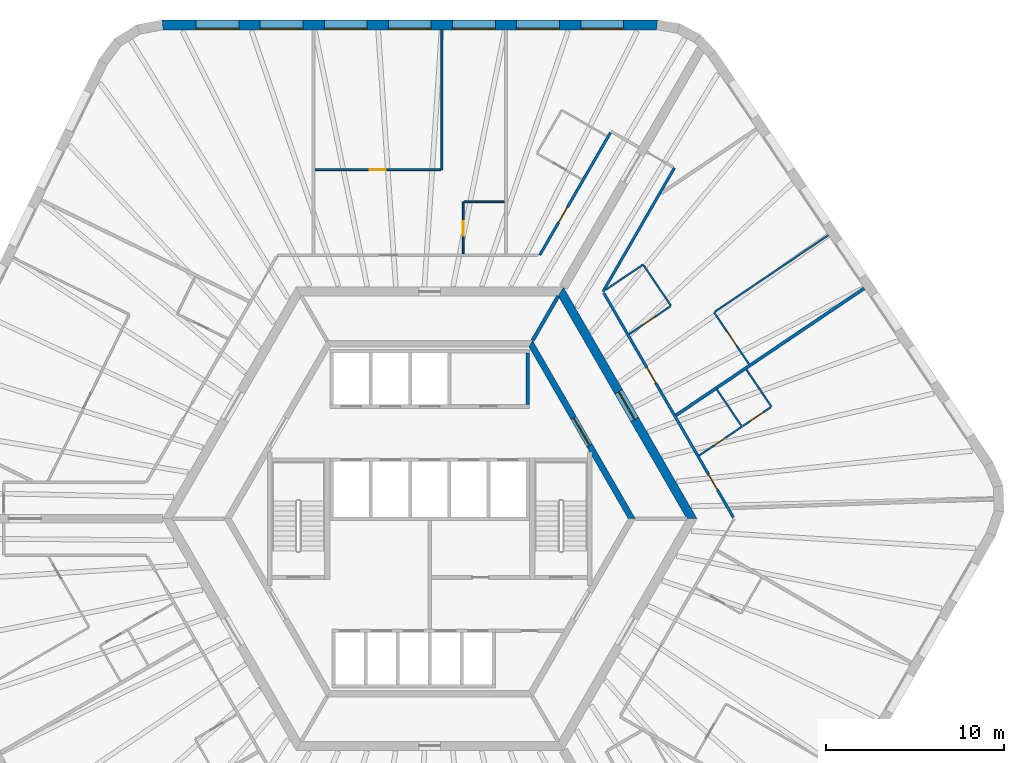
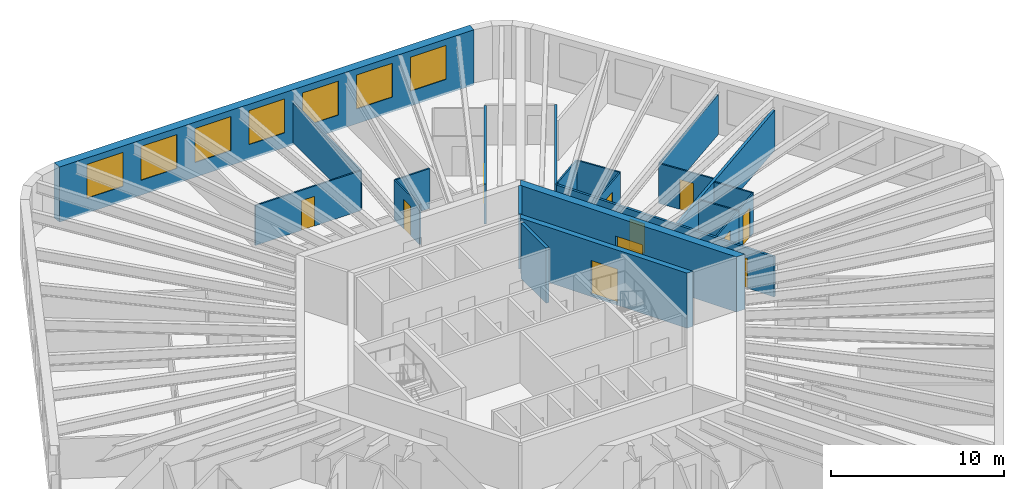
# One storey, part 8 of 10: 22 walls, 11 doors, 7 windows, 18 openings.
"""IFC4 building model written with IfcOpenShell, lengths in metres."""

from ifc_helpers import new_model, si_unit, direction, frame, frame_2d, origin, place, context, subcontext, project, spatial, polyline, rectangle, outline, extrude, material, layer, layer_set, type_object, element, fill, save


model = new_model("IFC4")

# Units and contexts
model_context = context("Model", 3, precision=1e-05, world=origin(), true_north=direction((0.0, 1.0)))
body_context = subcontext(model_context, "Body", "Model", "MODEL_VIEW")
ifc_project = project(units=[si_unit("LENGTHUNIT", "METRE"), si_unit("AREAUNIT", "SQUARE_METRE"), si_unit("VOLUMEUNIT", "CUBIC_METRE"), si_unit("PLANEANGLEUNIT", "RADIAN"), si_unit("MASSUNIT", "GRAM", prefix="KILO")], contexts=[model_context])

# Site, building, storey
site_placement = place(None, origin())
site = spatial("IfcSite", under=ifc_project, at=site_placement, CompositionType="ELEMENT")
building_placement = place(site_placement, origin())
building = spatial("IfcBuilding", under=site, at=building_placement, Name="Tarnside Tower", CompositionType="ELEMENT")
storey_placement = place(building_placement, frame((0.0, 0.0, 160.5)))
storey = spatial("IfcBuildingStorey", under=building, at=storey_placement, Name="L37", CompositionType="ELEMENT", Elevation=160.5)

# Wall, opening, door
ifc_material_1 = material(Name="Gypsum board partition on steel studs", Category="steel")
ifc_layer_1 = layer(ifc_material_1, 0.10009765625)
ifc_layer_set_1 = layer_set([ifc_layer_1], Name="Bathroom wall 100")
wall_type_1 = type_object("IfcWallType", Name="Bathroom wall 100", PredefinedType="PARTITIONING", material=ifc_layer_set_1)
wall_1_placement = place(storey_placement, frame((1.882080078125, 14.875, 0.0), z_axis=(0.0, 0.0, 1.0), x_axis=(0.0, 1.0, 0.0)))
wall_1 = element("IfcWall", 1, at=wall_1_placement, inside=storey, type_object=wall_type_1, Name="Bathroom wall 11053", PredefinedType="PARTITIONING", context=body_context, shape_type="SweptSolid", body=[
    extrude(rectangle(XDim=2.925048828125, YDim=0.10009765625, at=frame_2d((1.46240234375, 0.0))), origin(), (0.0, 0.0, 1.0), 2.823486328125),
])
opening_1_placement = place(wall_1_placement, frame((1.02490234375, 0.0, 0.0)))
opening_1 = element("IfcOpeningElement", 2, at=opening_1_placement, cuts=wall_1, Name="Opening D-B1", PredefinedType="OPENING", context=body_context, shape_type="SweptSolid", body=[
    extrude(rectangle(XDim=0.800048828125, YDim=2.10009765625, at=frame_2d((0.39990234375, 1.050048828125))), frame((0.0, 0.06005859375, 0.0), z_axis=(0.0, -1.0, 0.0), x_axis=(1.0, 0.0, 0.0)), (0.0, 0.0, 1.0), 0.1201171875),
])
ifc_material_2 = material(Name="Timber door leaf", Category="wood")
door_type_1 = type_object("IfcDoorType", Name="Bathroom door 800", OperationType="NOTDEFINED", PredefinedType="DOOR", material=ifc_material_2)
door_1_placement = place(opening_1_placement, origin())
door_1 = element("IfcDoor", 3, at=door_1_placement, inside=storey, type_object=door_type_1, Name="Bathroom door 11004", OperationType="SINGLE_SWING_RIGHT", OverallHeight=2.10009765625, OverallWidth=0.800048828125, PredefinedType="DOOR", context=body_context, shape_type="SweptSolid", body=[
    extrude(rectangle(XDim=0.800048828125, YDim=2.10009765625, at=frame_2d((0.39990234375, 1.050048828125))), frame((0.0, 0.02490234375, 0.0), z_axis=(0.0, -1.0, 0.0), x_axis=(1.0, 0.0, 0.0)), (0.0, 0.0, 1.0), 0.050048828125),
])
fill(opening_1, door_1)

# Wall
wall_2_placement = place(storey_placement, frame((1.93212890625, 17.800048828125, 0.0), z_axis=(0.0, 0.0, 1.0), x_axis=(1.0, 0.0, 0.0)))
element("IfcWall", 4, at=wall_2_placement, inside=storey, type_object=wall_type_1, Name="Bathroom wall 11054", PredefinedType="PARTITIONING", context=body_context, shape_type="SweptSolid", body=[
    extrude(rectangle(XDim=2.260009765625, YDim=0.10009765625, at=frame_2d((1.1298828125, 0.0))), origin(), (0.0, 0.0, 1.0), 2.823486328125),
])

# Wall, opening, door
wall_3_placement = place(storey_placement, frame((17.5302734375, 5.16845703125, 0.0), z_axis=(0.0, 0.0, 1.0), x_axis=(-0.829031257997, -0.559202265073, 0.0)))
wall_3 = element("IfcWall", 5, at=wall_3_placement, inside=storey, type_object=wall_type_1, Name="Bathroom wall 11106", PredefinedType="PARTITIONING", context=body_context, shape_type="SweptSolid", body=[
    extrude(rectangle(XDim=2.89794921875, YDim=0.10009765625, at=frame_2d((1.448974609375, 0.0))), origin(), (0.0, 0.0, 1.0), 2.823486328125),
])
opening_2_placement = place(wall_3_placement, frame((1.10009765625, 0.0, 0.0)))
opening_2 = element("IfcOpeningElement", 6, at=opening_2_placement, cuts=wall_3, Name="Opening D-B1", PredefinedType="OPENING", context=body_context, shape_type="SweptSolid", body=[
    extrude(rectangle(XDim=0.800048828125, YDim=2.10009765625, at=frame_2d((0.39990234375, 1.050048828125))), frame((0.0, 0.06005859375, 0.0), z_axis=(0.0, -1.0, 0.0), x_axis=(1.0, 0.0, 0.0)), (0.0, 0.0, 1.0), 0.1201171875),
])
door_2_placement = place(opening_2_placement, origin())
door_2 = element("IfcDoor", 7, at=door_2_placement, inside=storey, type_object=door_type_1, Name="Bathroom door 11032", OperationType="SINGLE_SWING_LEFT", OverallHeight=2.10009765625, OverallWidth=0.800048828125, PredefinedType="DOOR", context=body_context, shape_type="SweptSolid", body=[
    extrude(rectangle(XDim=0.800048828125, YDim=2.10009765625, at=frame_2d((0.39990234375, 1.050048828125))), frame((0.0, 0.02490234375, 0.0), z_axis=(0.0, -1.0, 0.0), x_axis=(1.0, 0.0, 0.0)), (0.0, 0.0, 1.0), 0.050048828125),
])
fill(opening_2, door_2)

# Walls
wall_4_placement = place(storey_placement, frame((17.50244140625, 5.2099609375, 0.0), z_axis=(0.0, 0.0, 1.0), x_axis=(-0.559203533395, 0.829030402481, 0.0)))
element("IfcWall", 8, at=wall_4_placement, inside=storey, type_object=wall_type_1, Name="Bathroom wall 11111", PredefinedType="PARTITIONING", context=body_context, shape_type="SweptSolid", body=[
    extrude(rectangle(XDim=2.460205078125, YDim=0.10009765625, at=frame_2d((1.22998046875, 0.0))), origin(), (0.0, 0.0, 1.0), 2.823486328125),
])
wall_5_placement = place(storey_placement, frame((9.8701171875, 12.845703125, 0.0), z_axis=(0.0, 0.0, 1.0), x_axis=(0.829045266323, 0.559181496821, 0.0)))
element("IfcWall", 9, at=wall_5_placement, inside=storey, type_object=wall_type_1, Name="Bathroom wall 11114", PredefinedType="PARTITIONING", context=body_context, shape_type="SweptSolid", body=[
    extrude(rectangle(XDim=2.547607421875, YDim=0.10009765625, at=frame_2d((1.27392578125, 0.0))), origin(), (0.0, 0.0, 1.0), 2.823486328125),
])
wall_6_placement = place(storey_placement, frame((12.01025390625, 14.228759765625, 0.0), z_axis=(0.0, 0.0, 1.0), x_axis=(0.559158698756, -0.8290606429, 0.0)))
element("IfcWall", 10, at=wall_6_placement, inside=storey, type_object=wall_type_1, Name="Bathroom wall 11115", PredefinedType="PARTITIONING", context=body_context, shape_type="SweptSolid", body=[
    extrude(rectangle(XDim=2.749755859375, YDim=0.10009765625, at=frame_2d((1.375, 0.0))), origin(), (0.0, 0.0, 1.0), 2.823486328125),
])

# Wall, opening, door
wall_7_placement = place(storey_placement, frame((13.50634765625, 11.9208984375, 0.0), z_axis=(0.0, 0.0, 1.0), x_axis=(-0.829048535811, -0.559176649431, 0.0)))
wall_7 = element("IfcWall", 11, at=wall_7_placement, inside=storey, type_object=wall_type_1, Name="Bathroom wall 11116", PredefinedType="PARTITIONING", context=body_context, shape_type="SweptSolid", body=[
    extrude(rectangle(XDim=2.7890625, YDim=0.10009765625, at=frame_2d((1.39453125, 0.0))), origin(), (0.0, 0.0, 1.0), 2.823486328125),
])
opening_3_placement = place(wall_7_placement, frame((1.050048828125, 0.0, 0.0)))
opening_3 = element("IfcOpeningElement", 12, at=opening_3_placement, cuts=wall_7, Name="Opening D-B1", PredefinedType="OPENING", context=body_context, shape_type="SweptSolid", body=[
    extrude(rectangle(XDim=0.800048828125, YDim=2.10009765625, at=frame_2d((0.39990234375, 1.050048828125))), frame((0.0, 0.06005859375, 0.0), z_axis=(0.0, -1.0, 0.0), x_axis=(1.0, 0.0, 0.0)), (0.0, 0.0, 1.0), 0.1201171875),
])
door_3_placement = place(opening_3_placement, origin())
door_3 = element("IfcDoor", 13, at=door_3_placement, inside=storey, type_object=door_type_1, Name="Bathroom door 11035", OperationType="SINGLE_SWING_LEFT", OverallHeight=2.10009765625, OverallWidth=0.800048828125, PredefinedType="DOOR", context=body_context, shape_type="SweptSolid", body=[
    extrude(rectangle(XDim=0.800048828125, YDim=2.10009765625, at=frame_2d((0.39990234375, 1.050048828125))), frame((0.0, 0.02490234375, 0.0), z_axis=(0.0, -1.0, 0.0), x_axis=(1.0, 0.0, 0.0)), (0.0, 0.0, 1.0), 0.050048828125),
])
fill(opening_3, door_3)

ifc_material_3 = material(Name="Concrete C50/60", Category="concrete")
ifc_layer_2 = layer(ifc_material_3, 0.35009765625)
ifc_layer_set_2 = layer_set([ifc_layer_2], Name="Core block wall 350 C50/60")
wall_type_2 = type_object("IfcWallType", Name="Core block wall 350 C50/60", PredefinedType="SHEAR", material=ifc_layer_set_2)
wall_8_placement = place(storey_placement, frame((11.344970703125, 0.0, -0.14990234375), z_axis=(0.0, 0.0, 1.0), x_axis=(-0.499995046907, 0.866028263435, 0.0)))
wall_8 = element("IfcWall", 14, at=wall_8_placement, inside=storey, type_object=wall_type_2, Name="L37 core block wall face 6", PredefinedType="SHEAR", context=body_context, shape_type="SweptSolid", body=[
    extrude(outline(polyline([(-0.10107421875, -0.175048828125), (11.44580078125, -0.175048828125), (11.24365234375, 0.175048828125), (0.10107421875, 0.175048828125), (-0.10107421875, -0.175048828125)])), origin(), (0.0, 0.0, 1.0), 3.89990234375),
])
opening_4_placement = place(wall_8_placement, frame((4.74365234375, 0.0, 0.14990234375)))
opening_4 = element("IfcOpeningElement", 15, at=opening_4_placement, cuts=wall_8, Name="Opening CD-LOB", PredefinedType="OPENING", context=body_context, shape_type="SweptSolid", body=[
    extrude(rectangle(XDim=1.800048828125, YDim=2.39990234375, at=frame_2d((0.89990234375, 1.199951171875))), frame((0.0, 0.18505859375, 0.0), z_axis=(0.0, -1.0, 0.0), x_axis=(1.0, 0.0, 0.0)), (0.0, 0.0, 1.0), 0.3701171875),
])
ifc_material_4 = material(Name="Steel fire door", Category="steel")
door_type_2 = type_object("IfcDoorType", Name="Lobby double door FD30S 1800x2400", OperationType="NOTDEFINED", PredefinedType="DOOR", material=ifc_material_4)
door_4_placement = place(opening_4_placement, origin())
door_4 = element("IfcDoor", 16, at=door_4_placement, inside=storey, type_object=door_type_2, Name="L37 lobby block door P2", OperationType="DOUBLE_DOOR_SINGLE_SWING", OverallHeight=2.39990234375, OverallWidth=1.800048828125, PredefinedType="DOOR", context=body_context, shape_type="SweptSolid", body=[
    extrude(rectangle(XDim=1.800048828125, YDim=2.39990234375, at=frame_2d((0.89990234375, 1.199951171875))), frame((0.0, 0.02490234375, 0.0), z_axis=(0.0, -1.0, 0.0), x_axis=(1.0, 0.0, 0.0)), (0.0, 0.0, 1.0), 0.050048828125),
])
fill(opening_4, door_4)

ifc_material_5 = material(Name="Concrete C70/85", Category="concrete")
ifc_layer_3 = layer(ifc_material_5, 0.5)
ifc_layer_set_3 = layer_set([ifc_layer_3], Name="Core wall Z2 500 C70/85")
wall_type_3 = type_object("IfcWallType", Name="Core wall Z2 500 C70/85", PredefinedType="SHEAR", material=ifc_layer_set_3)
wall_9_placement = place(storey_placement, frame((14.722412109375, 0.0, -0.14990234375), z_axis=(0.0, 0.0, 1.0), x_axis=(-0.50000571537, 0.866022103989, 0.0)))
wall_9 = element("IfcWall", 17, at=wall_9_placement, inside=storey, type_object=wall_type_3, Name="L37 core wall face 6", PredefinedType="SHEAR", context=body_context, shape_type="SweptSolid", body=[
    extrude(outline(polyline([(-0.144287109375, -0.25), (14.86669921875, -0.25), (14.578125, 0.25), (0.144287109375, 0.25), (-0.144287109375, -0.25)])), origin(), (0.0, 0.0, 1.0), 3.89990234375),
])
opening_5_placement = place(wall_9_placement, frame((6.432373046875, 0.0, 0.14990234375)))
opening_5 = element("IfcOpeningElement", 18, at=opening_5_placement, cuts=wall_9, Name="Opening CD-LOB", PredefinedType="OPENING", context=body_context, shape_type="SweptSolid", body=[
    extrude(rectangle(XDim=1.800048828125, YDim=2.39990234375, at=frame_2d((0.89990234375, 1.199951171875))), frame((0.0, 0.260009765625, 0.0), z_axis=(0.0, -1.0, 0.0), x_axis=(1.0, 0.0, 0.0)), (0.0, 0.0, 1.0), 0.52001953125),
])
door_5_placement = place(opening_5_placement, origin())
door_5 = element("IfcDoor", 19, at=door_5_placement, inside=storey, type_object=door_type_2, Name="L37 core door P2", OperationType="DOUBLE_DOOR_SINGLE_SWING", OverallHeight=2.39990234375, OverallWidth=1.800048828125, PredefinedType="DOOR", context=body_context, shape_type="SweptSolid", body=[
    extrude(rectangle(XDim=1.800048828125, YDim=2.39990234375, at=frame_2d((0.89990234375, 1.199951171875))), frame((0.0, 0.02490234375, 0.0), z_axis=(0.0, -1.0, 0.0), x_axis=(1.0, 0.0, 0.0)), (0.0, 0.0, 1.0), 0.050048828125),
])
fill(opening_5, door_5)

ifc_layer_4 = layer(ifc_material_1, 0.14990234375)
ifc_layer_set_4 = layer_set([ifc_layer_4], Name="Corridor wall 150 EI 60")
wall_type_4 = type_object("IfcWallType", Name="Corridor wall 150 EI 60", PredefinedType="PARTITIONING", material=ifc_layer_set_4)
wall_10_placement = place(storey_placement, frame((10.148681640625, 21.677978515625, 0.0), z_axis=(0.0, 0.0, 1.0), x_axis=(-0.499997422768, -0.866026891745, 0.0)))
wall_10 = element("IfcWall", 20, at=wall_10_placement, inside=storey, type_object=wall_type_4, Name="Corridor wall 11001", PredefinedType="PARTITIONING", context=body_context, shape_type="SweptSolid", body=[
    extrude(rectangle(XDim=7.94189453125, YDim=0.14990234375, at=frame_2d((3.970947265625, 0.0))), origin(), (0.0, 0.0, 1.0), 2.823486328125),
])
opening_6_placement = place(wall_10_placement, frame((4.83349609375, 0.0, 0.0)))
opening_6 = element("IfcOpeningElement", 21, at=opening_6_placement, cuts=wall_10, Name="Opening D-E1", PredefinedType="OPENING", context=body_context, shape_type="SweptSolid", body=[
    extrude(rectangle(XDim=1.0, YDim=2.10009765625, at=frame_2d((0.5, 1.050048828125))), frame((0.0, 0.0849609375, 0.0), z_axis=(0.0, -1.0, 0.0), x_axis=(1.0, 0.0, 0.0)), (0.0, 0.0, 1.0), 0.169921875),
])
door_type_3 = type_object("IfcDoorType", Name="Unit entrance door 1000 FD30S", OperationType="NOTDEFINED", PredefinedType="DOOR", material=ifc_material_2)
door_6_placement = place(opening_6_placement, origin())
door_6 = element("IfcDoor", 22, at=door_6_placement, inside=storey, type_object=door_type_3, Name="Unit door 11001", OperationType="SINGLE_SWING_LEFT", OverallHeight=2.10009765625, OverallWidth=1.0, PredefinedType="DOOR", context=body_context, shape_type="SweptSolid", body=[
    extrude(rectangle(XDim=1.0, YDim=2.10009765625, at=frame_2d((0.5, 1.050048828125))), frame((0.0, 0.02490234375, 0.0), z_axis=(0.0, -1.0, 0.0), x_axis=(1.0, 0.0, 0.0)), (0.0, 0.0, 1.0), 0.050048828125),
])
fill(opening_6, door_6)

# Wall, openings, doors
wall_11_placement = place(storey_placement, frame((17.04638671875, 0.074951171875, 0.0), z_axis=(0.0, 0.0, 1.0), x_axis=(-0.499999403554, 0.866025748143, 0.0)))
wall_11 = element("IfcWall", 23, at=wall_11_placement, inside=storey, type_object=wall_type_4, Name="Corridor wall 11040", PredefinedType="PARTITIONING", context=body_context, shape_type="SweptSolid", body=[
    extrude(rectangle(XDim=14.54931640625, YDim=0.14990234375, at=frame_2d((7.274658203125, 0.0))), origin(), (0.0, 0.0, 1.0), 2.823486328125),
])
opening_7_placement = place(wall_11_placement, frame((1.781494140625, 0.0, 0.0)))
opening_7 = element("IfcOpeningElement", 24, at=opening_7_placement, cuts=wall_11, Name="Opening D-E1", PredefinedType="OPENING", context=body_context, shape_type="SweptSolid", body=[
    extrude(rectangle(XDim=1.0, YDim=2.10009765625, at=frame_2d((0.5, 1.050048828125))), frame((0.0, 0.0849609375, 0.0), z_axis=(0.0, -1.0, 0.0), x_axis=(1.0, 0.0, 0.0)), (0.0, 0.0, 1.0), 0.169921875),
])
opening_8_placement = place(wall_11_placement, frame((8.705322265625, 0.0, 0.0)))
opening_8 = element("IfcOpeningElement", 25, at=opening_8_placement, cuts=wall_11, Name="Opening D-E1", PredefinedType="OPENING", context=body_context, shape_type="SweptSolid", body=[
    extrude(rectangle(XDim=1.0, YDim=2.10009765625, at=frame_2d((0.5, 1.050048828125))), frame((0.0, 0.0849609375, 0.0), z_axis=(0.0, -1.0, 0.0), x_axis=(1.0, 0.0, 0.0)), (0.0, 0.0, 1.0), 0.169921875),
])
door_7_placement = place(opening_7_placement, origin())
door_7 = element("IfcDoor", 26, at=door_7_placement, inside=storey, type_object=door_type_3, Name="Unit door 11031", OperationType="SINGLE_SWING_LEFT", OverallHeight=2.10009765625, OverallWidth=1.0, PredefinedType="DOOR", context=body_context, shape_type="SweptSolid", body=[
    extrude(rectangle(XDim=1.0, YDim=2.10009765625, at=frame_2d((0.5, 1.050048828125))), frame((0.0, 0.02490234375, 0.0), z_axis=(0.0, -1.0, 0.0), x_axis=(1.0, 0.0, 0.0)), (0.0, 0.0, 1.0), 0.050048828125),
])
fill(opening_7, door_7)
door_8_placement = place(opening_8_placement, origin())
door_8 = element("IfcDoor", 27, at=door_8_placement, inside=storey, type_object=door_type_3, Name="Unit door 11034", OperationType="SINGLE_SWING_RIGHT", OverallHeight=2.10009765625, OverallWidth=1.0, PredefinedType="DOOR", context=body_context, shape_type="SweptSolid", body=[
    extrude(rectangle(XDim=1.0, YDim=2.10009765625, at=frame_2d((0.5, 1.050048828125))), frame((0.0, 0.02490234375, 0.0), z_axis=(0.0, -1.0, 0.0), x_axis=(1.0, 0.0, 0.0)), (0.0, 0.0, 1.0), 0.050048828125),
])
fill(opening_8, door_8)

# Walls
wall_12_placement = place(storey_placement, frame((9.728271484375, 12.75, 0.0), z_axis=(0.0, 0.0, 1.0), x_axis=(0.500007149838, 0.866021275784, 0.0)))
element("IfcWall", 28, at=wall_12_placement, inside=storey, type_object=wall_type_4, Name="Corridor wall 11043", PredefinedType="PARTITIONING", context=body_context, shape_type="SweptSolid", body=[
    extrude(rectangle(XDim=8.01708984375, YDim=0.14990234375, at=frame_2d((4.008544921875, 0.0))), origin(), (0.0, 0.0, 1.0), 2.823486328125),
])
ifc_layer_5 = layer(ifc_material_1, 0.179931640625)
ifc_layer_set_5 = layer_set([ifc_layer_5], Name="Demising wall 180 EI 60")
wall_type_5 = type_object("IfcWallType", Name="Demising wall 180 EI 60", PredefinedType="PARTITIONING", material=ifc_layer_set_5)
wall_13_placement = place(storey_placement, frame((24.388916015625, 12.9306640625, 0.0), z_axis=(0.0, 0.0, 1.0), x_axis=(-0.829049407957, -0.559175356365, 0.0)))
element("IfcWall", 29, at=wall_13_placement, inside=storey, type_object=wall_type_5, Name="Demising wall 11109", PredefinedType="PARTITIONING", context=body_context, shape_type="SweptSolid", body=[
    extrude(rectangle(XDim=12.742919921875, YDim=0.179931640625, at=frame_2d((6.37158203125, 0.0))), origin(), (0.0, 0.0, 1.0), 2.823486328125),
])
ifc_material_6 = material(Name="Concrete C40/50", Category="concrete")
ifc_layer_6 = layer(ifc_material_6, 0.199951171875)
ifc_layer_set_6 = layer_set([ifc_layer_6], Name="Lift shaft wall 200 C40/50")
wall_type_6 = type_object("IfcWallType", Name="Lift shaft wall 200 C40/50", PredefinedType="SHEAR", material=ifc_layer_set_6)
wall_14_placement = place(storey_placement, frame((5.5, 6.39990234375, -0.25), z_axis=(0.0, 0.0, 1.0), x_axis=(0.0, 1.0, 0.0)))
element("IfcWall", 30, at=wall_14_placement, inside=storey, type_object=wall_type_6, Name="L37 lift shaft partition R16", PredefinedType="SHEAR", context=body_context, shape_type="SweptSolid", body=[
    extrude(rectangle(XDim=2.900146484375, YDim=0.199951171875, at=frame_2d((1.4501953125, 0.0))), origin(), (0.0, 0.0, 1.0), 3.89990234375),
])
wall_15_placement = place(storey_placement, frame((5.7734375, 10.0, -0.14990234375), z_axis=(0.0, 0.0, 1.0), x_axis=(0.499995765644, 0.866027848477, 0.0)))
element("IfcWall", 31, at=wall_15_placement, inside=storey, type_object=wall_type_6, Name="L37 core partition AR60", PredefinedType="SHEAR", context=body_context, shape_type="SweptSolid", body=[
    extrude(rectangle(XDim=2.88671875, YDim=0.199951171875, at=frame_2d((1.443359375, 0.0))), origin(), (0.0, 0.0, 1.0), 3.89990234375),
])
ifc_layer_7 = layer(ifc_material_1, 0.10009765625)
ifc_layer_set_7 = layer_set([ifc_layer_7], Name="Partition 100")
wall_type_7 = type_object("IfcWallType", Name="Partition 100", PredefinedType="PARTITIONING", material=ifc_layer_set_7)
wall_16_placement = place(storey_placement, frame((0.68212890625, 27.449951171875, 0.0), z_axis=(0.0, 0.0, 1.0), x_axis=(0.0, -1.0, 0.0)))
element("IfcWall", 32, at=wall_16_placement, inside=storey, type_object=wall_type_7, Name="Partition wall 11055", PredefinedType="PARTITIONING", context=body_context, shape_type="SweptSolid", body=[
    extrude(rectangle(XDim=7.849853515625, YDim=0.10009765625, at=frame_2d((3.9248046875, 0.0))), origin(), (0.0, 0.0, 1.0), 2.823486328125),
])

# Wall, opening, door
wall_17_placement = place(storey_placement, frame((0.632080078125, 19.60009765625, 0.0), z_axis=(0.0, 0.0, 1.0), x_axis=(-1.0, 0.0, 0.0)))
wall_17 = element("IfcWall", 33, at=wall_17_placement, inside=storey, type_object=wall_type_7, Name="Partition wall 11056", PredefinedType="PARTITIONING", context=body_context, shape_type="SweptSolid", body=[
    extrude(rectangle(XDim=7.06005859375, YDim=0.10009765625, at=frame_2d((3.530029296875, 0.0))), origin(), (0.0, 0.0, 1.0), 2.823486328125),
])
opening_9_placement = place(wall_17_placement, frame((3.10009765625, 0.0, 0.0)))
opening_9 = element("IfcOpeningElement", 34, at=opening_9_placement, cuts=wall_17, Name="Opening D-I1", PredefinedType="OPENING", context=body_context, shape_type="SweptSolid", body=[
    extrude(rectangle(XDim=0.89990234375, YDim=2.10009765625, at=frame_2d((0.449951171875, 1.050048828125))), frame((0.0, 0.06005859375, 0.0), z_axis=(0.0, -1.0, 0.0), x_axis=(1.0, 0.0, 0.0)), (0.0, 0.0, 1.0), 0.1201171875),
])
door_type_4 = type_object("IfcDoorType", Name="Internal door 900", OperationType="NOTDEFINED", PredefinedType="DOOR", material=ifc_material_2)
door_9_placement = place(opening_9_placement, origin())
door_9 = element("IfcDoor", 35, at=door_9_placement, inside=storey, type_object=door_type_4, Name="Internal door 11005", OperationType="SINGLE_SWING_RIGHT", OverallHeight=2.10009765625, OverallWidth=0.89990234375, PredefinedType="DOOR", context=body_context, shape_type="SweptSolid", body=[
    extrude(rectangle(XDim=0.89990234375, YDim=2.10009765625, at=frame_2d((0.449951171875, 1.050048828125))), frame((0.0, 0.02490234375, 0.0), z_axis=(0.0, -1.0, 0.0), x_axis=(1.0, 0.0, 0.0)), (0.0, 0.0, 1.0), 0.050048828125),
])
fill(opening_9, door_9)

# Wall
wall_18_placement = place(storey_placement, frame((17.784912109375, 8.36767578125, 0.0), z_axis=(0.0, 0.0, 1.0), x_axis=(0.559203861497, -0.829030181168, 0.0)))
element("IfcWall", 36, at=wall_18_placement, inside=storey, type_object=wall_type_7, Name="Partition wall 11107", PredefinedType="PARTITIONING", context=body_context, shape_type="SweptSolid", body=[
    extrude(rectangle(XDim=2.510009765625, YDim=0.10009765625, at=frame_2d((1.2548828125, 0.0))), origin(), (0.0, 0.0, 1.0), 2.823486328125),
])

# Wall, opening, door
wall_19_placement = place(storey_placement, frame((19.14697265625, 6.259033203125, 0.0), z_axis=(0.0, 0.0, 1.0), x_axis=(-0.82903334026, -0.559199178055, 0.0)))
wall_19 = element("IfcWall", 37, at=wall_19_placement, inside=storey, type_object=wall_type_7, Name="Partition wall 11108", PredefinedType="PARTITIONING", context=body_context, shape_type="SweptSolid", body=[
    extrude(rectangle(XDim=1.900146484375, YDim=0.10009765625, at=frame_2d((0.9501953125, 0.0))), origin(), (0.0, 0.0, 1.0), 2.823486328125),
])
opening_10_placement = place(wall_19_placement, frame((0.5, 0.0, 0.0)))
opening_10 = element("IfcOpeningElement", 38, at=opening_10_placement, cuts=wall_19, Name="Opening D-I1", PredefinedType="OPENING", context=body_context, shape_type="SweptSolid", body=[
    extrude(rectangle(XDim=0.89990234375, YDim=2.10009765625, at=frame_2d((0.449951171875, 1.050048828125))), frame((0.0, 0.06005859375, 0.0), z_axis=(0.0, -1.0, 0.0), x_axis=(1.0, 0.0, 0.0)), (0.0, 0.0, 1.0), 0.1201171875),
])
door_10_placement = place(opening_10_placement, origin())
door_10 = element("IfcDoor", 39, at=door_10_placement, inside=storey, type_object=door_type_4, Name="Internal door 11033", OperationType="SINGLE_SWING_RIGHT", OverallHeight=2.10009765625, OverallWidth=0.89990234375, PredefinedType="DOOR", context=body_context, shape_type="SweptSolid", body=[
    extrude(rectangle(XDim=0.89990234375, YDim=2.10009765625, at=frame_2d((0.449951171875, 1.050048828125))), frame((0.0, 0.02490234375, 0.0), z_axis=(0.0, -1.0, 0.0), x_axis=(1.0, 0.0, 0.0)), (0.0, 0.0, 1.0), 0.050048828125),
])
fill(opening_10, door_10)

wall_20_placement = place(storey_placement, frame((17.924560546875, 8.67919921875, 0.0), z_axis=(0.0, 0.0, 1.0), x_axis=(-0.559170576854, 0.829052631611, 0.0)))
wall_20 = element("IfcWall", 40, at=wall_20_placement, inside=storey, type_object=wall_type_7, Name="Partition wall 11117", PredefinedType="PARTITIONING", context=body_context, shape_type="SweptSolid", body=[
    extrude(rectangle(XDim=3.510009765625, YDim=0.10009765625, at=frame_2d((1.7548828125, 0.0))), origin(), (0.0, 0.0, 1.0), 2.823486328125),
])
opening_11_placement = place(wall_20_placement, frame((1.260009765625, 0.0, 0.0)))
opening_11 = element("IfcOpeningElement", 41, at=opening_11_placement, cuts=wall_20, Name="Opening D-I1", PredefinedType="OPENING", context=body_context, shape_type="SweptSolid", body=[
    extrude(rectangle(XDim=0.89990234375, YDim=2.10009765625, at=frame_2d((0.449951171875, 1.050048828125))), frame((0.0, 0.06005859375, 0.0), z_axis=(0.0, -1.0, 0.0), x_axis=(1.0, 0.0, 0.0)), (0.0, 0.0, 1.0), 0.1201171875),
])
door_11_placement = place(opening_11_placement, origin())
door_11 = element("IfcDoor", 42, at=door_11_placement, inside=storey, type_object=door_type_4, Name="Internal door 11036", OperationType="SINGLE_SWING_RIGHT", OverallHeight=2.10009765625, OverallWidth=0.89990234375, PredefinedType="DOOR", context=body_context, shape_type="SweptSolid", body=[
    extrude(rectangle(XDim=0.89990234375, YDim=2.10009765625, at=frame_2d((0.449951171875, 1.050048828125))), frame((0.0, 0.02490234375, 0.0), z_axis=(0.0, -1.0, 0.0), x_axis=(1.0, 0.0, 0.0)), (0.0, 0.0, 1.0), 0.050048828125),
])
fill(opening_11, door_11)

# Wall
wall_21_placement = place(storey_placement, frame((16.003173828125, 11.616943359375, 0.0), z_axis=(0.0, 0.0, 1.0), x_axis=(0.829037886281, 0.559192438352, 0.0)))
element("IfcWall", 43, at=wall_21_placement, inside=storey, type_object=wall_type_7, Name="Partition wall 11118", PredefinedType="PARTITIONING", context=body_context, shape_type="SweptSolid", body=[
    extrude(rectangle(XDim=7.686767578125, YDim=0.10009765625, at=frame_2d((3.84326171875, 0.0))), origin(), (0.0, 0.0, 1.0), 2.823486328125),
])

# Wall, openings, windows
ifc_material_7 = material(Name="Facing brick", Category="masonry")
ifc_layer_8 = layer(ifc_material_7, 0.10205078125)
ifc_material_8 = material(Name="Concrete C60/75 precast", Category="concrete")
ifc_layer_9 = layer(ifc_material_8, 0.347900390625)
ifc_material_9 = material(Name="Mineral wool insulation")
ifc_layer_10 = layer(ifc_material_9, 0.10009765625)
ifc_layer_set_8 = layer_set([ifc_layer_8, ifc_layer_9, ifc_layer_10], Name="Tube wall 550 brick faced")
wall_type_8 = type_object("IfcWallType", Name="Tube wall 550 brick faced", PredefinedType="SOLIDWALL", material=ifc_layer_set_8)
wall_22_placement = place(storey_placement, frame((12.760986328125, 27.72509765625, -0.14990234375), z_axis=(0.0, 0.0, 1.0), x_axis=(-1.0, 0.0, 0.0)))
wall_22 = element("IfcWall", 44, at=wall_22_placement, inside=storey, type_object=wall_type_8, Name="Tube wall L37 F1 flush 00", PredefinedType="SOLIDWALL", context=body_context, shape_type="SweptSolid", body=[
    extrude(outline(polyline([(-0.0224609375, -0.27490234375), (27.783447265625, -0.27490234375), (27.732177734375, 0.27490234375), (0.0224609375, 0.27490234375), (-0.0224609375, -0.27490234375)])), origin(), (0.0, 0.0, 1.0), 3.89990234375),
])
opening_12_placement = place(wall_22_placement, frame((1.87890625, 0.0, 1.050048828125)))
opening_12 = element("IfcOpeningElement", 45, at=opening_12_placement, cuts=wall_22, Name="Opening WH", PredefinedType="OPENING", context=body_context, shape_type="SweptSolid", body=[
    extrude(rectangle(XDim=2.39990234375, YDim=2.39990234375, at=frame_2d((1.199951171875, 1.199951171875))), frame((0.0, 0.28515625, 0.0), z_axis=(0.0, -1.0, 0.0), x_axis=(1.0, 0.0, 0.0)), (0.0, 0.0, 1.0), 0.570068359375),
])
opening_13_placement = place(wall_22_placement, frame((5.47900390625, 0.0, 1.050048828125)))
opening_13 = element("IfcOpeningElement", 46, at=opening_13_placement, cuts=wall_22, Name="Opening WH", PredefinedType="OPENING", context=body_context, shape_type="SweptSolid", body=[
    extrude(rectangle(XDim=2.39990234375, YDim=2.39990234375, at=frame_2d((1.199951171875, 1.199951171875))), frame((0.0, 0.28515625, 0.0), z_axis=(0.0, -1.0, 0.0), x_axis=(1.0, 0.0, 0.0)), (0.0, 0.0, 1.0), 0.570068359375),
])
opening_14_placement = place(wall_22_placement, frame((9.078857421875, 0.0, 1.050048828125)))
opening_14 = element("IfcOpeningElement", 47, at=opening_14_placement, cuts=wall_22, Name="Opening WH", PredefinedType="OPENING", context=body_context, shape_type="SweptSolid", body=[
    extrude(rectangle(XDim=2.39990234375, YDim=2.39990234375, at=frame_2d((1.199951171875, 1.199951171875))), frame((0.0, 0.28515625, 0.0), z_axis=(0.0, -1.0, 0.0), x_axis=(1.0, 0.0, 0.0)), (0.0, 0.0, 1.0), 0.570068359375),
])
opening_15_placement = place(wall_22_placement, frame((12.678955078125, 0.0, 1.050048828125)))
opening_15 = element("IfcOpeningElement", 48, at=opening_15_placement, cuts=wall_22, Name="Opening WH", PredefinedType="OPENING", context=body_context, shape_type="SweptSolid", body=[
    extrude(rectangle(XDim=2.39990234375, YDim=2.39990234375, at=frame_2d((1.199951171875, 1.199951171875))), frame((0.0, 0.28515625, 0.0), z_axis=(0.0, -1.0, 0.0), x_axis=(1.0, 0.0, 0.0)), (0.0, 0.0, 1.0), 0.570068359375),
])
opening_16_placement = place(wall_22_placement, frame((16.27880859375, 0.0, 1.050048828125)))
opening_16 = element("IfcOpeningElement", 49, at=opening_16_placement, cuts=wall_22, Name="Opening WH", PredefinedType="OPENING", context=body_context, shape_type="SweptSolid", body=[
    extrude(rectangle(XDim=2.39990234375, YDim=2.39990234375, at=frame_2d((1.199951171875, 1.199951171875))), frame((0.0, 0.28515625, 0.0), z_axis=(0.0, -1.0, 0.0), x_axis=(1.0, 0.0, 0.0)), (0.0, 0.0, 1.0), 0.570068359375),
])
opening_17_placement = place(wall_22_placement, frame((19.87890625, 0.0, 1.050048828125)))
opening_17 = element("IfcOpeningElement", 50, at=opening_17_placement, cuts=wall_22, Name="Opening WH", PredefinedType="OPENING", context=body_context, shape_type="SweptSolid", body=[
    extrude(rectangle(XDim=2.39990234375, YDim=2.39990234375, at=frame_2d((1.199951171875, 1.199951171875))), frame((0.0, 0.28515625, 0.0), z_axis=(0.0, -1.0, 0.0), x_axis=(1.0, 0.0, 0.0)), (0.0, 0.0, 1.0), 0.570068359375),
])
opening_18_placement = place(wall_22_placement, frame((23.47900390625, 0.0, 1.050048828125)))
opening_18 = element("IfcOpeningElement", 51, at=opening_18_placement, cuts=wall_22, Name="Opening WH", PredefinedType="OPENING", context=body_context, shape_type="SweptSolid", body=[
    extrude(rectangle(XDim=2.39990234375, YDim=2.39990234375, at=frame_2d((1.199951171875, 1.199951171875))), frame((0.0, 0.28515625, 0.0), z_axis=(0.0, -1.0, 0.0), x_axis=(1.0, 0.0, 0.0)), (0.0, 0.0, 1.0), 0.570068359375),
])
ifc_material_10 = material(Name="Aluminium-framed double glazing", Category="aluminium")
window_type = type_object("IfcWindowType", Name="Hotel window 2400 x 2400", PartitioningType="DOUBLE_PANEL_VERTICAL", PredefinedType="WINDOW", material=ifc_material_10)
window_1_placement = place(opening_12_placement, frame((0.0, 0.205078125, 0.0)))
window_1 = element("IfcWindow", 52, at=window_1_placement, inside=storey, type_object=window_type, Name="E.WN.L37.F1.00", OverallHeight=2.39990234375, OverallWidth=2.39990234375, PartitioningType="DOUBLE_PANEL_VERTICAL", PredefinedType="WINDOW", context=body_context, shape_type="SweptSolid", body=[
    extrude(rectangle(XDim=2.39990234375, YDim=2.39990234375, at=frame_2d((1.199951171875, 1.199951171875))), frame((0.0, 0.030029296875, 0.0), z_axis=(0.0, -1.0, 0.0), x_axis=(1.0, 0.0, 0.0)), (0.0, 0.0, 1.0), 0.06005859375),
])
fill(opening_12, window_1)
window_2_placement = place(opening_13_placement, frame((0.0, 0.205078125, 0.0)))
window_2 = element("IfcWindow", 53, at=window_2_placement, inside=storey, type_object=window_type, Name="E.WN.L37.F1.01", OverallHeight=2.39990234375, OverallWidth=2.39990234375, PartitioningType="DOUBLE_PANEL_VERTICAL", PredefinedType="WINDOW", context=body_context, shape_type="SweptSolid", body=[
    extrude(rectangle(XDim=2.39990234375, YDim=2.39990234375, at=frame_2d((1.199951171875, 1.199951171875))), frame((0.0, 0.030029296875, 0.0), z_axis=(0.0, -1.0, 0.0), x_axis=(1.0, 0.0, 0.0)), (0.0, 0.0, 1.0), 0.06005859375),
])
fill(opening_13, window_2)
window_3_placement = place(opening_14_placement, frame((0.0, 0.205078125, 0.0)))
window_3 = element("IfcWindow", 54, at=window_3_placement, inside=storey, type_object=window_type, Name="E.WN.L37.F1.02", OverallHeight=2.39990234375, OverallWidth=2.39990234375, PartitioningType="DOUBLE_PANEL_VERTICAL", PredefinedType="WINDOW", context=body_context, shape_type="SweptSolid", body=[
    extrude(rectangle(XDim=2.39990234375, YDim=2.39990234375, at=frame_2d((1.199951171875, 1.199951171875))), frame((0.0, 0.030029296875, 0.0), z_axis=(0.0, -1.0, 0.0), x_axis=(1.0, 0.0, 0.0)), (0.0, 0.0, 1.0), 0.06005859375),
])
fill(opening_14, window_3)
window_4_placement = place(opening_15_placement, frame((0.0, 0.205078125, 0.0)))
window_4 = element("IfcWindow", 55, at=window_4_placement, inside=storey, type_object=window_type, Name="E.WN.L37.F1.03", OverallHeight=2.39990234375, OverallWidth=2.39990234375, PartitioningType="DOUBLE_PANEL_VERTICAL", PredefinedType="WINDOW", context=body_context, shape_type="SweptSolid", body=[
    extrude(rectangle(XDim=2.39990234375, YDim=2.39990234375, at=frame_2d((1.199951171875, 1.199951171875))), frame((0.0, 0.030029296875, 0.0), z_axis=(0.0, -1.0, 0.0), x_axis=(1.0, 0.0, 0.0)), (0.0, 0.0, 1.0), 0.06005859375),
])
fill(opening_15, window_4)
window_5_placement = place(opening_16_placement, frame((0.0, 0.205078125, 0.0)))
window_5 = element("IfcWindow", 56, at=window_5_placement, inside=storey, type_object=window_type, Name="E.WN.L37.F1.04", OverallHeight=2.39990234375, OverallWidth=2.39990234375, PartitioningType="DOUBLE_PANEL_VERTICAL", PredefinedType="WINDOW", context=body_context, shape_type="SweptSolid", body=[
    extrude(rectangle(XDim=2.39990234375, YDim=2.39990234375, at=frame_2d((1.199951171875, 1.199951171875))), frame((0.0, 0.030029296875, 0.0), z_axis=(0.0, -1.0, 0.0), x_axis=(1.0, 0.0, 0.0)), (0.0, 0.0, 1.0), 0.06005859375),
])
fill(opening_16, window_5)
window_6_placement = place(opening_17_placement, frame((0.0, 0.205078125, 0.0)))
window_6 = element("IfcWindow", 57, at=window_6_placement, inside=storey, type_object=window_type, Name="E.WN.L37.F1.05", OverallHeight=2.39990234375, OverallWidth=2.39990234375, PartitioningType="DOUBLE_PANEL_VERTICAL", PredefinedType="WINDOW", context=body_context, shape_type="SweptSolid", body=[
    extrude(rectangle(XDim=2.39990234375, YDim=2.39990234375, at=frame_2d((1.199951171875, 1.199951171875))), frame((0.0, 0.030029296875, 0.0), z_axis=(0.0, -1.0, 0.0), x_axis=(1.0, 0.0, 0.0)), (0.0, 0.0, 1.0), 0.06005859375),
])
fill(opening_17, window_6)
window_7_placement = place(opening_18_placement, frame((0.0, 0.205078125, 0.0)))
window_7 = element("IfcWindow", 58, at=window_7_placement, inside=storey, type_object=window_type, Name="E.WN.L37.F1.06", OverallHeight=2.39990234375, OverallWidth=2.39990234375, PartitioningType="DOUBLE_PANEL_VERTICAL", PredefinedType="WINDOW", context=body_context, shape_type="SweptSolid", body=[
    extrude(rectangle(XDim=2.39990234375, YDim=2.39990234375, at=frame_2d((1.199951171875, 1.199951171875))), frame((0.0, 0.030029296875, 0.0), z_axis=(0.0, -1.0, 0.0), x_axis=(1.0, 0.0, 0.0)), (0.0, 0.0, 1.0), 0.06005859375),
])
fill(opening_18, window_7)

save(model, "model.ifc")
